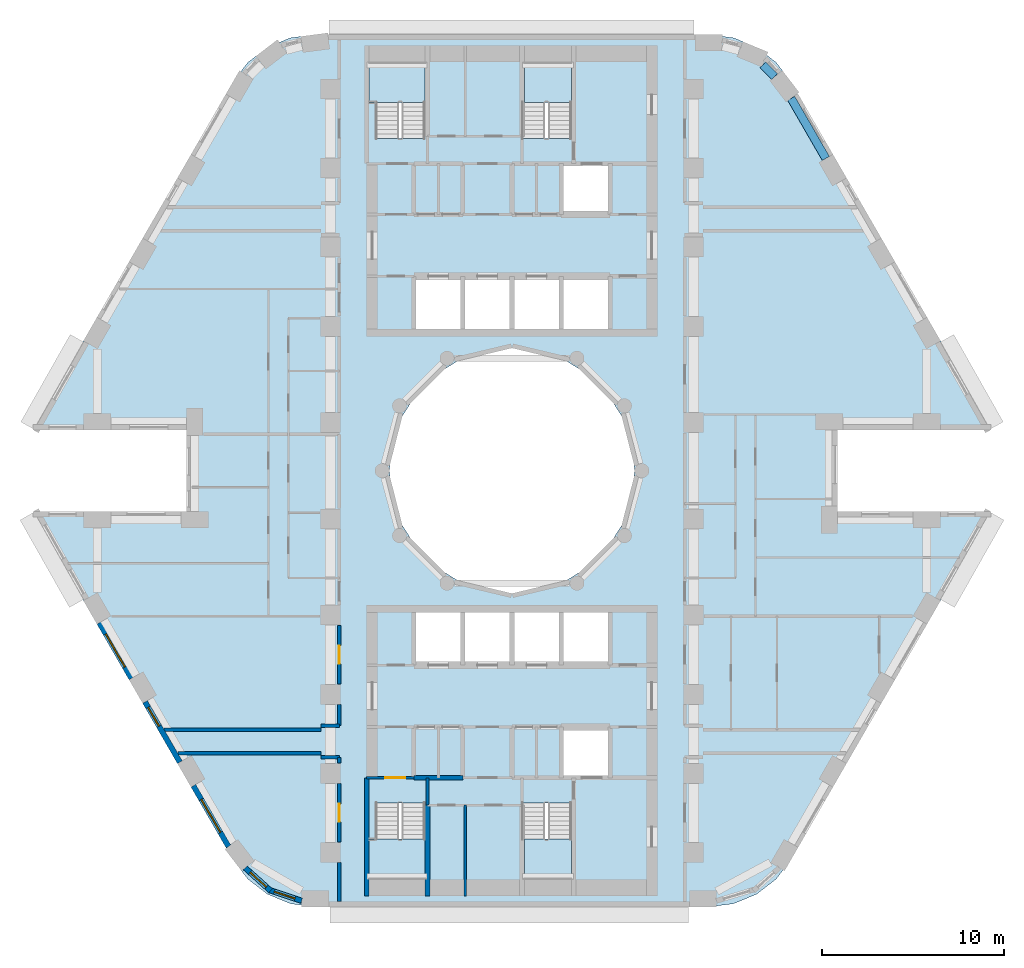
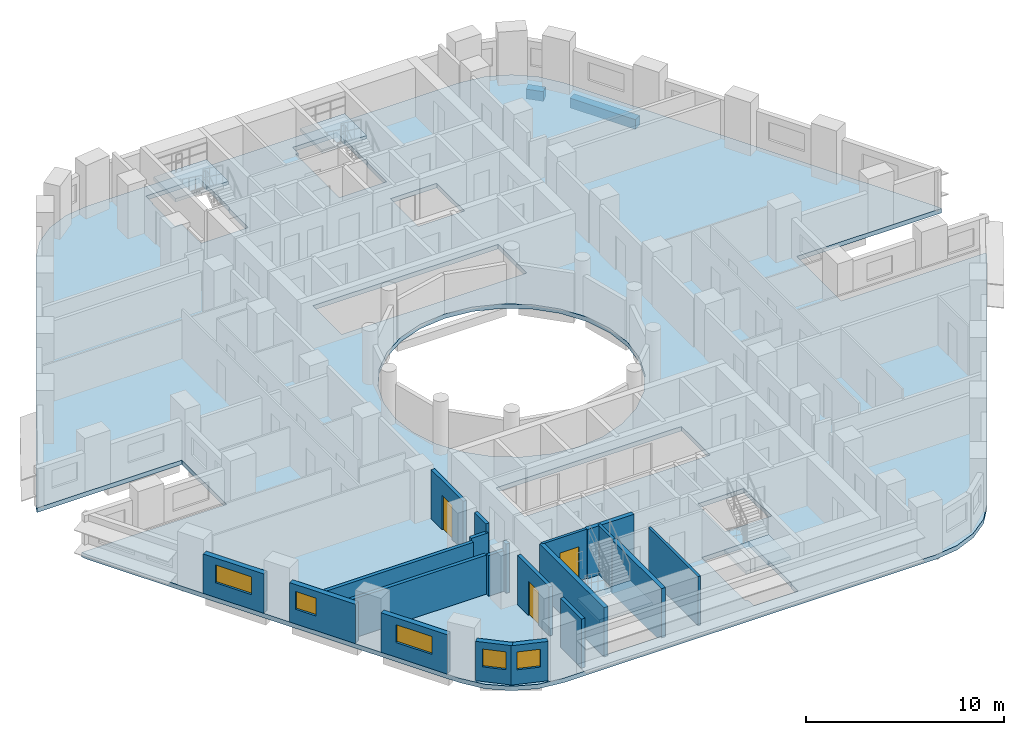
# One storey, part 2 of 12: 20 walls, 5 slabs, 5 windows, 3 doors, 2 beams, 8 openings, 4 elements without a shape of their own.
"""IFC4 building model written with IfcOpenShell, lengths in metres."""

from ifc_helpers import new_model, si_unit, direction, frame, frame_2d, origin, origin_2d, place, context, subcontext, project, spatial, polyline, rectangle, outline, extrude, material, layer, layer_set, material_profile, profile_set, type_object, element, fill, aggregate, save


model = new_model("IFC4")

# Units and contexts
model_context = context("Model", 3, precision=1e-05, world=origin(), true_north=direction((0.0, 1.0)))
body_context = subcontext(model_context, "Body", "Model", "MODEL_VIEW")
ifc_project = project(units=[si_unit("LENGTHUNIT", "METRE"), si_unit("AREAUNIT", "SQUARE_METRE"), si_unit("VOLUMEUNIT", "CUBIC_METRE"), si_unit("PLANEANGLEUNIT", "RADIAN"), si_unit("MASSUNIT", "GRAM", prefix="KILO")], contexts=[model_context])

# Site, building, storey
site_placement = place(None, origin())
site = spatial("IfcSite", under=ifc_project, at=site_placement, CompositionType="ELEMENT")
building_placement = place(site_placement, origin())
building = spatial("IfcBuilding", under=site, at=building_placement, Name="Nakaniwa Court", CompositionType="ELEMENT")
storey_placement = place(building_placement, frame((0.0, 0.0, 54.60009765625)))
storey = spatial("IfcBuildingStorey", under=building, at=storey_placement, Name="L14", CompositionType="ELEMENT", Elevation=54.60009765625)

# Beams
ifc_material_1 = material(Name="Concrete C100/115", Category="concrete")
ifc_material_profile = material_profile(ifc_material_1, rectangle(XDim=0.449951171875, YDim=0.60009765625, at=origin_2d()), Name="Concrete C100/115 RC 450x600 spandrel beam")
ifc_profile_set = profile_set([ifc_material_profile], Name="Concrete C100/115")
beam_type = type_object("IfcBeamType", Name="Concrete C100/115 RC 450x600 spandrel beam", PredefinedType="BEAM", material=ifc_profile_set)
beam_1_placement = place(storey_placement, frame((97.2705078125, 97.1865234375, -0.5751953125), z_axis=(-0.500023067617, 0.86601208528, 0.0), x_axis=(-0.86601208528, -0.500023067617, 0.0)))
element("IfcBeam", 1, at=beam_1_placement, inside=storey, type_object=beam_type, Name="SPANDREL BEAM", PredefinedType="BEAM", context=body_context, shape_type="SweptSolid", body=[
    extrude(rectangle(XDim=0.449951171875, YDim=0.60009765625, at=origin_2d()), origin(), (0.0, 0.0, 1.0), 3.819580078125),
])
beam_2_placement = place(storey_placement, frame((94.448486328125, 101.68505859375, -0.5751953125), z_axis=(-0.705908410536, 0.708303124329, 0.0), x_axis=(-0.708303124329, -0.705908410536, 0.0)))
element("IfcBeam", 2, at=beam_2_placement, inside=storey, type_object=beam_type, Name="SPANDREL BEAM", PredefinedType="BEAM", context=body_context, shape_type="SweptSolid", body=[
    extrude(rectangle(XDim=0.449951171875, YDim=0.60009765625, at=origin_2d()), origin(), (0.0, 0.0, 1.0), 0.91748046875),
])

# Slab
ifc_layer_1 = layer(ifc_material_1, 0.27490234375)
ifc_layer_set_1 = layer_set([ifc_layer_1], Name="Concrete C100/115")
slab_type_1 = type_object("IfcSlabType", Name="Concrete C100/115 post tensioned floor slab 275", PredefinedType="FLOOR", material=ifc_layer_set_1)
slab_1_placement = place(storey_placement, frame((0.0, 0.0, -0.275146484375)))
element("IfcSlab", 3, at=slab_1_placement, inside=storey, type_object=slab_type_1, Name="FLOOR SLAB", PredefinedType="FLOOR", context=body_context, shape_type="SweptSolid", body=[
    extrude(outline(polyline([(97.908447265625, 82.25), (106.356689453125, 82.25), (106.211669921875, 82.60009765625), (95.357421875, 101.39990234375), (94.531005859375, 102.47705078125), (93.4541015625, 103.30322265625), (92.199951171875, 103.82275390625), (90.854248046875, 104.0), (69.145751953125, 104.0), (67.800048828125, 103.82275390625), (66.5458984375, 103.30322265625), (65.468994140625, 102.47705078125), (64.642578125, 101.39990234375), (53.788330078125, 82.60009765625), (53.643310546875, 82.25), (62.091552734375, 82.25), (62.091552734375, 77.75), (53.643310546875, 77.75), (53.788330078125, 77.39990234375), (64.642578125, 58.60009765625), (65.468994140625, 57.52294921875), (66.5458984375, 56.69677734375), (67.800048828125, 56.17724609375), (69.145751953125, 56.0), (90.854248046875, 56.0), (92.199951171875, 56.17724609375), (93.4541015625, 56.69677734375), (94.531005859375, 57.52294921875), (95.357421875, 58.60009765625), (106.211669921875, 77.39990234375), (106.356689453125, 77.75), (97.908447265625, 77.75), (97.908447265625, 82.25)]), holes=[polyline([(81.501953125, 86.580810546875), (80.0, 86.75), (78.498046875, 86.580810546875), (77.0712890625, 86.08154296875), (75.79150390625, 85.27734375), (74.72265625, 84.20849609375), (73.91845703125, 82.9287109375), (73.419189453125, 81.501953125), (73.25, 80.0), (73.419189453125, 78.498046875), (73.91845703125, 77.0712890625), (74.72265625, 75.79150390625), (75.79150390625, 74.72265625), (77.0712890625, 73.91845703125), (78.498046875, 73.419189453125), (80.0, 73.25), (81.501953125, 73.419189453125), (82.9287109375, 73.91845703125), (84.20849609375, 74.72265625), (85.27734375, 75.79150390625), (86.08154296875, 77.0712890625), (86.580810546875, 78.498046875), (86.75, 80.0), (86.580810546875, 81.501953125), (86.08154296875, 82.9287109375), (85.27734375, 84.20849609375), (84.20849609375, 85.27734375), (82.9287109375, 86.08154296875), (81.501953125, 86.580810546875)]), polyline([(75.264892578125, 57.4599609375), (75.264892578125, 59.764892578125), (75.22509765625, 59.764892578125), (75.22509765625, 61.7099609375), (72.47509765625, 61.7099609375), (72.47509765625, 59.764892578125), (72.0849609375, 59.764892578125), (72.0849609375, 57.4599609375), (72.125, 57.4599609375), (72.125, 56.72509765625), (75.22509765625, 56.72509765625), (75.22509765625, 57.324951171875), (75.22509765625, 57.4599609375), (75.264892578125, 57.4599609375)]), polyline([(80.0, 69.300048828125), (82.699951171875, 69.300048828125), (85.39990234375, 69.300048828125), (85.39990234375, 72.199951171875), (82.699951171875, 72.199951171875), (80.0, 72.199951171875), (77.300048828125, 72.199951171875), (74.60009765625, 72.199951171875), (74.60009765625, 69.300048828125), (77.300048828125, 69.300048828125), (80.0, 69.300048828125)]), polyline([(80.0, 87.800048828125), (82.699951171875, 87.800048828125), (85.39990234375, 87.800048828125), (85.39990234375, 90.699951171875), (82.699951171875, 90.699951171875), (80.0, 90.699951171875), (77.300048828125, 90.699951171875), (74.60009765625, 90.699951171875), (74.60009765625, 87.800048828125), (77.300048828125, 87.800048828125), (80.0, 87.800048828125)]), polyline([(75.264892578125, 100.235107421875), (75.264892578125, 102.5400390625), (75.22509765625, 102.5400390625), (75.22509765625, 102.675048828125), (75.22509765625, 103.27490234375), (72.125, 103.27490234375), (72.125, 102.5400390625), (72.0849609375, 102.5400390625), (72.0849609375, 100.235107421875), (72.47509765625, 100.235107421875), (72.47509765625, 98.2900390625), (75.22509765625, 98.2900390625), (75.22509765625, 100.235107421875), (75.264892578125, 100.235107421875)]), polyline([(83.27490234375, 61.7099609375), (80.52490234375, 61.7099609375), (80.52490234375, 57.324951171875), (80.675048828125, 57.324951171875), (80.675048828125, 56.72509765625), (83.27490234375, 56.72509765625), (83.27490234375, 57.324951171875), (83.27490234375, 57.4599609375), (83.31494140625, 57.4599609375), (83.31494140625, 59.764892578125), (83.27490234375, 59.764892578125), (83.27490234375, 61.7099609375)]), polyline([(85.39990234375, 65.89990234375), (82.699951171875, 65.89990234375), (82.699951171875, 63.10009765625), (85.39990234375, 63.10009765625), (85.39990234375, 65.89990234375)]), polyline([(85.39990234375, 96.89990234375), (82.699951171875, 96.89990234375), (82.699951171875, 94.10009765625), (85.39990234375, 94.10009765625), (85.39990234375, 96.89990234375)]), polyline([(83.27490234375, 100.235107421875), (83.31494140625, 100.235107421875), (83.31494140625, 102.5400390625), (83.27490234375, 102.5400390625), (83.27490234375, 102.675048828125), (83.27490234375, 103.27490234375), (80.675048828125, 103.27490234375), (80.675048828125, 102.675048828125), (80.52490234375, 102.675048828125), (80.52490234375, 98.2900390625), (83.27490234375, 98.2900390625), (83.27490234375, 100.235107421875)])]), origin(), (0.0, 0.0, 1.0), 0.275146484375),
])

# Stair, slab
ifc_material_2 = material(Name="Concrete C80/100", Category="concrete")
stair_type = type_object("IfcStairType", Name="Dog leg stair 1300 wide 18 risers", PredefinedType="HALF_TURN_STAIR", material=ifc_material_2)
stair_1_placement = place(storey_placement, origin())
stair_1 = element("IfcStair", 4, at=stair_1_placement, inside=storey, type_object=stair_type, Name="L14 Stair ST1", PredefinedType="HALF_TURN_STAIR")
ifc_layer_2 = layer(ifc_material_2, 0.199951171875)
ifc_layer_set_2 = layer_set([ifc_layer_2], Name="Concrete C80/100")
slab_type_2 = type_object("IfcSlabType", Name="Stair landing concrete", PredefinedType="LANDING", material=ifc_layer_set_2)
slab_2_placement = place(storey_placement, frame((0.0, 0.0, 1.449951171875)))
slab_2 = element("IfcSlab", 5, at=slab_2_placement, type_object=slab_type_2, Name="ST1 landing 1", PredefinedType="LANDING", context=body_context, shape_type="SweptSolid", body=[
    extrude(outline(polyline([(75.22509765625, 100.27490234375), (75.22509765625, 102.5), (72.125, 102.5), (72.125, 100.27490234375), (75.22509765625, 100.27490234375)])), origin(), (0.0, 0.0, 1.0), 0.199951171875),
])
aggregate(stair_1, [slab_2])

stair_2_placement = place(storey_placement, origin())
stair_2 = element("IfcStair", 6, at=stair_2_placement, inside=storey, type_object=stair_type, Name="L14 Stair ST2", PredefinedType="HALF_TURN_STAIR")
slab_3_placement = place(storey_placement, frame((0.0, 0.0, 1.449951171875)))
slab_3 = element("IfcSlab", 7, at=slab_3_placement, type_object=slab_type_2, Name="ST2 landing 1", PredefinedType="LANDING", context=body_context, shape_type="SweptSolid", body=[
    extrude(outline(polyline([(83.27490234375, 100.27490234375), (83.27490234375, 102.5), (80.675048828125, 102.5), (80.675048828125, 100.27490234375), (83.27490234375, 100.27490234375)])), origin(), (0.0, 0.0, 1.0), 0.199951171875),
])
aggregate(stair_2, [slab_3])

stair_3_placement = place(storey_placement, origin())
stair_3 = element("IfcStair", 8, at=stair_3_placement, inside=storey, type_object=stair_type, Name="L14 Stair ST3", PredefinedType="HALF_TURN_STAIR")
slab_4_placement = place(storey_placement, frame((0.0, 0.0, 1.449951171875)))
slab_4 = element("IfcSlab", 9, at=slab_4_placement, type_object=slab_type_2, Name="ST3 landing 1", PredefinedType="LANDING", context=body_context, shape_type="SweptSolid", body=[
    extrude(outline(polyline([(75.22509765625, 57.5), (75.22509765625, 59.72509765625), (72.125, 59.72509765625), (72.125, 57.5), (75.22509765625, 57.5)])), origin(), (0.0, 0.0, 1.0), 0.199951171875),
])
aggregate(stair_3, [slab_4])

stair_4_placement = place(storey_placement, origin())
stair_4 = element("IfcStair", 10, at=stair_4_placement, inside=storey, type_object=stair_type, Name="L14 Stair ST4", PredefinedType="HALF_TURN_STAIR")
slab_5_placement = place(storey_placement, frame((0.0, 0.0, 1.449951171875)))
slab_5 = element("IfcSlab", 11, at=slab_5_placement, type_object=slab_type_2, Name="ST4 landing 1", PredefinedType="LANDING", context=body_context, shape_type="SweptSolid", body=[
    extrude(outline(polyline([(83.27490234375, 57.5), (83.27490234375, 59.72509765625), (80.675048828125, 59.72509765625), (80.675048828125, 57.5), (83.27490234375, 57.5)])), origin(), (0.0, 0.0, 1.0), 0.199951171875),
])
aggregate(stair_4, [slab_5])

# Walls
ifc_material_3 = material(Name="Acoustic double stud partition")
ifc_layer_3 = layer(ifc_material_3, 0.199951171875)
ifc_layer_set_3 = layer_set([ifc_layer_3], Name="Acoustic double stud partition")
wall_type_1 = type_object("IfcWallType", Name="Acoustic double stud partition 200", PredefinedType="PARTITIONING", material=ifc_layer_set_3)
wall_1_placement = place(storey_placement, frame((69.5, 65.97509765625, 0.0), z_axis=(0.0, 0.0, 1.0), x_axis=(1.0, 0.0, 0.0)))
element("IfcWall", 12, at=wall_1_placement, inside=storey, type_object=wall_type_1, Name="Partition PW-091", PredefinedType="PARTITIONING", context=body_context, shape_type="SweptSolid", body=[
    extrude(rectangle(XDim=1.0, YDim=0.199951171875, at=frame_2d((0.5, 0.0))), origin(), (0.0, 0.0, 1.0), 2.5048828125),
])
wall_2_placement = place(storey_placement, frame((60.86083984375, 65.75, 0.0), z_axis=(0.0, 0.0, 1.0), x_axis=(1.0, 0.0, 0.0)))
element("IfcWall", 13, at=wall_2_placement, inside=storey, type_object=wall_type_1, Name="Partition PW-093", PredefinedType="PARTITIONING", context=body_context, shape_type="SweptSolid", body=[
    extrude(rectangle(XDim=8.63916015625, YDim=0.199951171875, at=frame_2d((4.319580078125, 0.0))), origin(), (0.0, 0.0, 1.0), 2.40478515625),
])
wall_3_placement = place(storey_placement, frame((61.611328125, 64.449951171875, 0.0), z_axis=(0.0, 0.0, 1.0), x_axis=(1.0, 0.0, 0.0)))
element("IfcWall", 14, at=wall_3_placement, inside=storey, type_object=wall_type_1, Name="Partition PW-095", PredefinedType="PARTITIONING", context=body_context, shape_type="SweptSolid", body=[
    extrude(rectangle(XDim=7.888671875, YDim=0.199951171875, at=frame_2d((3.9443359375, 0.0))), origin(), (0.0, 0.0, 1.0), 2.40478515625),
])
wall_4_placement = place(storey_placement, frame((69.5, 64.22509765625, 0.0), z_axis=(0.0, 0.0, 1.0), x_axis=(1.0, 0.0, 0.0)))
element("IfcWall", 15, at=wall_4_placement, inside=storey, type_object=wall_type_1, Name="Partition PW-097", PredefinedType="PARTITIONING", context=body_context, shape_type="SweptSolid", body=[
    extrude(rectangle(XDim=1.0, YDim=0.199951171875, at=frame_2d((0.5, 0.0))), origin(), (0.0, 0.0, 1.0), 2.5048828125),
])
wall_5_placement = place(storey_placement, frame((70.5, 56.300048828125, 0.0), z_axis=(0.0, 0.0, 1.0), x_axis=(0.0, 1.0, 0.0)))
element("IfcWall", 16, at=wall_5_placement, inside=storey, type_object=wall_type_1, Name="Partition PW-099", PredefinedType="PARTITIONING", context=body_context, shape_type="SweptSolid", body=[
    extrude(rectangle(XDim=2.133056640625, YDim=0.199951171875, at=frame_2d((1.06640625, 0.0))), origin(), (0.0, 0.0, 1.0), 3.02490234375),
])

# Wall, opening, door
wall_6_placement = place(storey_placement, frame((70.5, 59.56689453125, 0.0), z_axis=(0.0, 0.0, 1.0), x_axis=(0.0, 1.0, 0.0)))
wall_6 = element("IfcWall", 17, at=wall_6_placement, inside=storey, type_object=wall_type_1, Name="Partition PW-100", PredefinedType="PARTITIONING", context=body_context, shape_type="SweptSolid", body=[
    extrude(rectangle(XDim=3.216064453125, YDim=0.199951171875, at=frame_2d((1.60791015625, 0.0))), origin(), (0.0, 0.0, 1.0), 3.02490234375),
])
opening_1_placement = place(wall_6_placement, frame((1.10791015625, 0.0, 0.0)))
opening_1 = element("IfcOpeningElement", 18, at=opening_1_placement, cuts=wall_6, Name="Opening D-02-06", PredefinedType="OPENING", context=body_context, shape_type="SweptSolid", body=[
    extrude(rectangle(XDim=1.0, YDim=2.10009765625, at=frame_2d((0.5, 1.050048828125))), frame((0.0, 0.10986328125, 0.0), z_axis=(0.0, -1.0, 0.0), x_axis=(1.0, 0.0, 0.0)), (0.0, 0.0, 1.0), 0.219970703125),
])
ifc_material_4 = material(Name="Solid core timber door set, black veneer", Category="wood")
door_type_1 = type_object("IfcDoorType", Name="Internal door 1000", OperationType="NOTDEFINED", PredefinedType="DOOR", material=ifc_material_4)
door_1_placement = place(opening_1_placement, origin())
door_1 = element("IfcDoor", 19, at=door_1_placement, inside=storey, type_object=door_type_1, Name="Door D-02-06 L14-054", OperationType="SINGLE_SWING_LEFT", OverallHeight=2.10009765625, OverallWidth=1.0, PredefinedType="DOOR", context=body_context, shape_type="SweptSolid", body=[
    extrude(rectangle(XDim=1.0, YDim=2.10009765625, at=frame_2d((0.5, 1.050048828125))), frame((0.0, 0.02490234375, 0.0), z_axis=(0.0, -1.0, 0.0), x_axis=(1.0, 0.0, 0.0)), (0.0, 0.0, 1.0), 0.050048828125),
])
fill(opening_1, door_1)

# Walls
wall_7_placement = place(storey_placement, frame((70.5, 63.9169921875, 0.0), z_axis=(0.0, 0.0, 1.0), x_axis=(0.0, 1.0, 0.0)))
element("IfcWall", 20, at=wall_7_placement, inside=storey, type_object=wall_type_1, Name="Partition PW-101", PredefinedType="PARTITIONING", context=body_context, shape_type="SweptSolid", body=[
    extrude(rectangle(XDim=0.31103515625, YDim=0.199951171875, at=frame_2d((0.155517578125, 0.0))), origin(), (0.0, 0.0, 1.0), 3.02490234375),
])
wall_8_placement = place(storey_placement, frame((70.5, 65.971923828125, 0.0), z_axis=(0.0, 0.0, 1.0), x_axis=(0.0, 1.0, 0.0)))
element("IfcWall", 21, at=wall_8_placement, inside=storey, type_object=wall_type_1, Name="Partition PW-102", PredefinedType="PARTITIONING", context=body_context, shape_type="SweptSolid", body=[
    extrude(rectangle(XDim=1.1611328125, YDim=0.199951171875, at=frame_2d((0.58056640625, 0.0))), origin(), (0.0, 0.0, 1.0), 3.02490234375),
])

# Wall, opening, door
wall_9_placement = place(storey_placement, frame((70.5, 68.26708984375, 0.0), z_axis=(0.0, 0.0, 1.0), x_axis=(0.0, 1.0, 0.0)))
wall_9 = element("IfcWall", 22, at=wall_9_placement, inside=storey, type_object=wall_type_1, Name="Partition PW-103", PredefinedType="PARTITIONING", context=body_context, shape_type="SweptSolid", body=[
    extrude(rectangle(XDim=3.2158203125, YDim=0.199951171875, at=frame_2d((1.60791015625, 0.0))), origin(), (0.0, 0.0, 1.0), 3.02490234375),
])
opening_2_placement = place(wall_9_placement, frame((1.10791015625, 0.0, 0.0)))
opening_2 = element("IfcOpeningElement", 23, at=opening_2_placement, cuts=wall_9, Name="Opening D-02-03", PredefinedType="OPENING", context=body_context, shape_type="SweptSolid", body=[
    extrude(rectangle(XDim=1.0, YDim=2.10009765625, at=frame_2d((0.5, 1.050048828125))), frame((0.0, 0.10986328125, 0.0), z_axis=(0.0, -1.0, 0.0), x_axis=(1.0, 0.0, 0.0)), (0.0, 0.0, 1.0), 0.219970703125),
])
door_2_placement = place(opening_2_placement, origin())
door_2 = element("IfcDoor", 24, at=door_2_placement, inside=storey, type_object=door_type_1, Name="Door D-02-03 L14-041", OperationType="SINGLE_SWING_RIGHT", OverallHeight=2.10009765625, OverallWidth=1.0, PredefinedType="DOOR", context=body_context, shape_type="SweptSolid", body=[
    extrude(rectangle(XDim=1.0, YDim=2.10009765625, at=frame_2d((0.5, 1.050048828125))), frame((0.0, 0.02490234375, 0.0), z_axis=(0.0, -1.0, 0.0), x_axis=(1.0, 0.0, 0.0)), (0.0, 0.0, 1.0), 0.050048828125),
])
fill(opening_2, door_2)

# Wall, opening, window
ifc_material_5 = material(Name="Charcoal ceramic cladding")
ifc_layer_4 = layer(ifc_material_5, 0.02, Name="Ceramic cladding")
ifc_material_6 = material(Name="Ventilated air cavity")
ifc_layer_5 = layer(ifc_material_6, 0.04, ventilated=True, Name="Ventilated cavity")
ifc_material_7 = material(Name="Mineral wool insulation")
ifc_layer_6 = layer(ifc_material_7, 0.1, Name="Insulation")
ifc_material_8 = material(Name="Cement bonded sheathing board")
ifc_layer_7 = layer(ifc_material_8, 0.012, Name="Sheathing")
ifc_material_9 = material(Name="Cold-formed galvanised stud frame with mineral wool infill")
ifc_layer_8 = layer(ifc_material_9, 0.1, Name="Stud frame")
ifc_material_10 = material(Name="Fire-rated gypsum plasterboard lining")
ifc_layer_9 = layer(ifc_material_10, 0.028, Name="Lining")
ifc_layer_set_4 = layer_set([ifc_layer_4, ifc_layer_5, ifc_layer_6, ifc_layer_7, ifc_layer_8, ifc_layer_9], Name="Charcoal ceramic faced external wall system")
wall_type_2 = type_object("IfcWallType", Name="Black ceramic faced external wall 300", PredefinedType="SOLIDWALL", material=ifc_layer_set_4)
wall_10_placement = place(storey_placement, frame((57.290283203125, 71.63427734375, 0.0), z_axis=(0.0, 0.0, 1.0), x_axis=(0.499977402622, -0.866038449993, 0.0)))
wall_10 = element("IfcWall", 25, at=wall_10_placement, inside=storey, type_object=wall_type_2, Name="L14 external wall 21", PredefinedType="SOLIDWALL", context=body_context, shape_type="SweptSolid", body=[
    extrude(rectangle(XDim=3.536865234375, YDim=0.300048828125, at=frame_2d((1.7685546875, 0.0))), origin(), (0.0, 0.0, 1.0), 2.4248046875),
])
opening_3_placement = place(wall_10_placement, frame((0.718505859375, 0.0, 0.89990234375)))
opening_3 = element("IfcOpeningElement", 26, at=opening_3_placement, cuts=wall_10, Name="Opening W7.22", PredefinedType="OPENING", context=body_context, shape_type="SweptSolid", body=[
    extrude(rectangle(XDim=2.10009765625, YDim=1.10009765625, at=frame_2d((1.050048828125, 0.550048828125))), frame((0.0, 0.159912109375, 0.0), z_axis=(0.0, -1.0, 0.0), x_axis=(1.0, 0.0, 0.0)), (0.0, 0.0, 1.0), 0.320068359375),
])
ifc_material_11 = material(Name="Black anodised aluminium frame with dark low-E laminated double glazing", Category="aluminium")
window_type_1 = type_object("IfcWindowType", Name="Dark glass window 2100x1100 sill 900", PartitioningType="SINGLE_PANEL", PredefinedType="WINDOW", material=ifc_material_11)
window_1_placement = place(opening_3_placement, origin())
window_1 = element("IfcWindow", 27, at=window_1_placement, inside=storey, type_object=window_type_1, Name="L14 habitable room window 21-0", OverallHeight=1.10009765625, OverallWidth=2.10009765625, PartitioningType="SINGLE_PANEL", PredefinedType="WINDOW", context=body_context, shape_type="SweptSolid", body=[
    extrude(rectangle(XDim=2.10009765625, YDim=1.10009765625, at=frame_2d((1.050048828125, 0.550048828125))), frame((0.0, 0.030029296875, 0.0), z_axis=(0.0, -1.0, 0.0), x_axis=(1.0, 0.0, 0.0)), (0.0, 0.0, 1.0), 0.06005859375),
])
fill(opening_3, window_1)

wall_11_placement = place(storey_placement, frame((59.8046875, 67.279296875, 0.0), z_axis=(0.0, 0.0, 1.0), x_axis=(0.500001735503, -0.866024401789, 0.0)))
wall_11 = element("IfcWall", 28, at=wall_11_placement, inside=storey, type_object=wall_type_2, Name="L14 external wall 22", PredefinedType="SOLIDWALL", context=body_context, shape_type="SweptSolid", body=[
    extrude(rectangle(XDim=3.833984375, YDim=0.300048828125, at=frame_2d((1.9169921875, 0.0))), origin(), (0.0, 0.0, 1.0), 2.4248046875),
])
opening_4_placement = place(wall_11_placement, frame((0.343994140625, 0.0, 0.89990234375)))
opening_4 = element("IfcOpeningElement", 29, at=opening_4_placement, cuts=wall_11, Name="Opening W6.23", PredefinedType="OPENING", context=body_context, shape_type="SweptSolid", body=[
    extrude(rectangle(XDim=1.199951171875, YDim=1.10009765625, at=frame_2d((0.60009765625, 0.550048828125))), frame((0.0, 0.159912109375, 0.0), z_axis=(0.0, -1.0, 0.0), x_axis=(1.0, 0.0, 0.0)), (0.0, 0.0, 1.0), 0.320068359375),
])
window_type_2 = type_object("IfcWindowType", Name="Dark glass window 1200x1100 sill 900", PartitioningType="SINGLE_PANEL", PredefinedType="WINDOW", material=ifc_material_11)
window_2_placement = place(opening_4_placement, origin())
window_2 = element("IfcWindow", 30, at=window_2_placement, inside=storey, type_object=window_type_2, Name="L14 habitable room window 22-0", OverallHeight=1.10009765625, OverallWidth=1.199951171875, PartitioningType="SINGLE_PANEL", PredefinedType="WINDOW", context=body_context, shape_type="SweptSolid", body=[
    extrude(rectangle(XDim=1.199951171875, YDim=1.10009765625, at=frame_2d((0.60009765625, 0.550048828125))), frame((0.0, 0.030029296875, 0.0), z_axis=(0.0, -1.0, 0.0), x_axis=(1.0, 0.0, 0.0)), (0.0, 0.0, 1.0), 0.06005859375),
])
fill(opening_4, window_2)

wall_12_placement = place(storey_placement, frame((62.4677734375, 62.6669921875, 0.0), z_axis=(0.0, 0.0, 1.0), x_axis=(0.499948341072, -0.866055227026, 0.0)))
wall_12 = element("IfcWall", 31, at=wall_12_placement, inside=storey, type_object=wall_type_2, Name="L14 external wall 23", PredefinedType="SOLIDWALL", context=body_context, shape_type="SweptSolid", body=[
    extrude(rectangle(XDim=3.8671875, YDim=0.300048828125, at=frame_2d((1.93359375, 0.0))), origin(), (0.0, 0.0, 1.0), 2.4248046875),
])
opening_5_placement = place(wall_12_placement, frame((0.872314453125, 0.0, 0.89990234375)))
opening_5 = element("IfcOpeningElement", 32, at=opening_5_placement, cuts=wall_12, Name="Opening W7.24", PredefinedType="OPENING", context=body_context, shape_type="SweptSolid", body=[
    extrude(rectangle(XDim=2.10009765625, YDim=1.10009765625, at=frame_2d((1.050048828125, 0.550048828125))), frame((0.0, 0.159912109375, 0.0), z_axis=(0.0, -1.0, 0.0), x_axis=(1.0, 0.0, 0.0)), (0.0, 0.0, 1.0), 0.320068359375),
])
window_3_placement = place(opening_5_placement, origin())
window_3 = element("IfcWindow", 33, at=window_3_placement, inside=storey, type_object=window_type_1, Name="L14 habitable room window 23-0", OverallHeight=1.10009765625, OverallWidth=2.10009765625, PartitioningType="SINGLE_PANEL", PredefinedType="WINDOW", context=body_context, shape_type="SweptSolid", body=[
    extrude(rectangle(XDim=2.10009765625, YDim=1.10009765625, at=frame_2d((1.050048828125, 0.550048828125))), frame((0.0, 0.030029296875, 0.0), z_axis=(0.0, -1.0, 0.0), x_axis=(1.0, 0.0, 0.0)), (0.0, 0.0, 1.0), 0.06005859375),
])
fill(opening_5, window_3)

wall_13_placement = place(storey_placement, frame((65.3203125, 58.142578125, 0.0), z_axis=(0.0, 0.0, 1.0), x_axis=(0.7435526378, -0.668677407141, 0.0)))
wall_13 = element("IfcWall", 34, at=wall_13_placement, inside=storey, type_object=wall_type_2, Name="L14 external wall 24", PredefinedType="SOLIDWALL", context=body_context, shape_type="SweptSolid", body=[
    extrude(rectangle(XDim=1.878173828125, YDim=0.300048828125, at=frame_2d((0.93896484375, 0.0))), origin(), (0.0, 0.0, 1.0), 2.4248046875),
])
opening_6_placement = place(wall_13_placement, frame((0.366943359375, 0.0, 0.89990234375)))
opening_6 = element("IfcOpeningElement", 35, at=opening_6_placement, cuts=wall_13, Name="Opening W6.25", PredefinedType="OPENING", context=body_context, shape_type="SweptSolid", body=[
    extrude(rectangle(XDim=1.199951171875, YDim=1.10009765625, at=frame_2d((0.60009765625, 0.550048828125))), frame((0.0, 0.159912109375, 0.0), z_axis=(0.0, -1.0, 0.0), x_axis=(1.0, 0.0, 0.0)), (0.0, 0.0, 1.0), 0.320068359375),
])
window_4_placement = place(opening_6_placement, origin())
window_4 = element("IfcWindow", 36, at=window_4_placement, inside=storey, type_object=window_type_2, Name="L14 habitable room window 24-0", OverallHeight=1.10009765625, OverallWidth=1.199951171875, PartitioningType="SINGLE_PANEL", PredefinedType="WINDOW", context=body_context, shape_type="SweptSolid", body=[
    extrude(rectangle(XDim=1.199951171875, YDim=1.10009765625, at=frame_2d((0.60009765625, 0.550048828125))), frame((0.0, 0.030029296875, 0.0), z_axis=(0.0, -1.0, 0.0), x_axis=(1.0, 0.0, 0.0)), (0.0, 0.0, 1.0), 0.06005859375),
])
fill(opening_6, window_4)

wall_14_placement = place(storey_placement, frame((66.6240234375, 56.932861328125, 0.0), z_axis=(0.0, 0.0, 1.0), x_axis=(0.949246659442, -0.314532636683, 0.0)))
wall_14 = element("IfcWall", 37, at=wall_14_placement, inside=storey, type_object=wall_type_2, Name="L14 external wall 25", PredefinedType="SOLIDWALL", context=body_context, shape_type="SweptSolid", body=[
    extrude(rectangle(XDim=1.901611328125, YDim=0.300048828125, at=frame_2d((0.95068359375, 0.0))), origin(), (0.0, 0.0, 1.0), 2.4248046875),
])
opening_7_placement = place(wall_14_placement, frame((0.31005859375, 0.0, 0.89990234375)))
opening_7 = element("IfcOpeningElement", 38, at=opening_7_placement, cuts=wall_14, Name="Opening W6.26", PredefinedType="OPENING", context=body_context, shape_type="SweptSolid", body=[
    extrude(rectangle(XDim=1.199951171875, YDim=1.10009765625, at=frame_2d((0.60009765625, 0.550048828125))), frame((0.0, 0.159912109375, 0.0), z_axis=(0.0, -1.0, 0.0), x_axis=(1.0, 0.0, 0.0)), (0.0, 0.0, 1.0), 0.320068359375),
])
window_5_placement = place(opening_7_placement, origin())
window_5 = element("IfcWindow", 39, at=window_5_placement, inside=storey, type_object=window_type_2, Name="L14 habitable room window 25-0", OverallHeight=1.10009765625, OverallWidth=1.199951171875, PartitioningType="SINGLE_PANEL", PredefinedType="WINDOW", context=body_context, shape_type="SweptSolid", body=[
    extrude(rectangle(XDim=1.199951171875, YDim=1.10009765625, at=frame_2d((0.60009765625, 0.550048828125))), frame((0.0, 0.030029296875, 0.0), z_axis=(0.0, -1.0, 0.0), x_axis=(1.0, 0.0, 0.0)), (0.0, 0.0, 1.0), 0.06005859375),
])
fill(opening_7, window_5)

# Wall
ifc_material_12 = material(Name="Blockwork partition", Category="masonry")
ifc_layer_10 = layer(ifc_material_12, 0.14990234375)
ifc_layer_set_5 = layer_set([ifc_layer_10], Name="Blockwork partition")
wall_type_3 = type_object("IfcWallType", Name="Blockwork partition 150", PredefinedType="PARTITIONING", material=ifc_layer_set_5)
wall_15_placement = place(storey_placement, frame((77.429931640625, 56.60009765625, 0.0), z_axis=(0.0, 0.0, 1.0), x_axis=(0.0, 1.0, 0.0)))
element("IfcWall", 40, at=wall_15_placement, inside=storey, type_object=wall_type_3, Name="Partition PW-070", PredefinedType="PARTITIONING", context=body_context, shape_type="SweptSolid", body=[
    extrude(rectangle(XDim=5.0, YDim=0.14990234375, at=frame_2d((2.5, 0.0))), origin(), (0.0, 0.0, 1.0), 3.02490234375),
])

# Wall, opening, door
ifc_layer_11 = layer(ifc_material_1, 0.14990234375)
ifc_layer_set_6 = layer_set([ifc_layer_11], Name="Concrete C100/115")
wall_type_4 = type_object("IfcWallType", Name="Concrete core wall 150 C100", PredefinedType="SHEAR", material=ifc_layer_set_6)
wall_16_placement = place(storey_placement, frame((72.0, 63.10009765625, -0.275146484375), z_axis=(0.0, 0.0, 1.0), x_axis=(1.0, 0.0, 0.0)))
wall_16 = element("IfcWall", 41, at=wall_16_placement, inside=storey, type_object=wall_type_4, Name="Core wall SW-57", PredefinedType="SHEAR", context=body_context, shape_type="SweptSolid", body=[
    extrude(rectangle(XDim=2.60009765625, YDim=0.14990234375, at=frame_2d((1.300048828125, 0.0))), origin(), (0.0, 0.0, 1.0), 3.300048828125),
])
opening_8_placement = place(wall_16_placement, frame((1.02001953125, 0.0, 0.27490234375)))
opening_8 = element("IfcOpeningElement", 42, at=opening_8_placement, cuts=wall_16, Name="Opening D-09-02", PredefinedType="OPENING", context=body_context, shape_type="SweptSolid", body=[
    extrude(rectangle(XDim=1.10009765625, YDim=2.10009765625, at=frame_2d((0.550048828125, 1.050048828125))), frame((0.0, 0.0849609375, 0.0), z_axis=(0.0, -1.0, 0.0), x_axis=(1.0, 0.0, 0.0)), (0.0, 0.0, 1.0), 0.169921875),
])
ifc_material_13 = material(Name="Fire rated steel door set", Category="steel")
door_type_2 = type_object("IfcDoorType", Name="Stair door 1100", OperationType="NOTDEFINED", PredefinedType="DOOR", material=ifc_material_13)
door_3_placement = place(opening_8_placement, origin())
door_3 = element("IfcDoor", 43, at=door_3_placement, inside=storey, type_object=door_type_2, Name="Door D-09-02 L14-027", OperationType="SINGLE_SWING_LEFT", OverallHeight=2.10009765625, OverallWidth=1.10009765625, PredefinedType="DOOR", context=body_context, shape_type="SweptSolid", body=[
    extrude(rectangle(XDim=1.10009765625, YDim=2.10009765625, at=frame_2d((0.550048828125, 1.050048828125))), frame((0.0, 0.02490234375, 0.0), z_axis=(0.0, -1.0, 0.0), x_axis=(1.0, 0.0, 0.0)), (0.0, 0.0, 1.0), 0.050048828125),
])
fill(opening_8, door_3)

# Walls
wall_17_placement = place(storey_placement, frame((75.35009765625, 61.596923828125, -0.275146484375), z_axis=(0.0, 0.0, 1.0), x_axis=(0.0, 1.0, 0.0)))
element("IfcWall", 44, at=wall_17_placement, inside=storey, type_object=wall_type_4, Name="Core wall SW-63", PredefinedType="SHEAR", context=body_context, shape_type="SweptSolid", body=[
    extrude(rectangle(XDim=1.503173828125, YDim=0.14990234375, at=frame_2d((0.75146484375, 0.0))), origin(), (0.0, 0.0, 1.0), 3.300048828125),
])
ifc_layer_12 = layer(ifc_material_1, 0.25)
ifc_layer_set_7 = layer_set([ifc_layer_12], Name="Concrete C100/115")
wall_type_5 = type_object("IfcWallType", Name="Concrete core wall 250 C100", PredefinedType="SHEAR", material=ifc_layer_set_7)
wall_18_placement = place(storey_placement, frame((72.0, 56.60009765625, -0.275146484375), z_axis=(0.0, 0.0, 1.0), x_axis=(0.0, 1.0, 0.0)))
element("IfcWall", 45, at=wall_18_placement, inside=storey, type_object=wall_type_5, Name="Core wall SW-65", PredefinedType="SHEAR", context=body_context, shape_type="SweptSolid", body=[
    extrude(rectangle(XDim=6.5, YDim=0.25, at=frame_2d((3.25, 0.0))), origin(), (0.0, 0.0, 1.0), 3.300048828125),
])
ifc_layer_13 = layer(ifc_material_1, 0.25)
ifc_layer_set_8 = layer_set([ifc_layer_13], Name="Concrete C100/115")
wall_type_6 = type_object("IfcWallType", Name="Concrete shaft wall 250 C100", PredefinedType="SHEAR", material=ifc_layer_set_8)
wall_19_placement = place(storey_placement, frame((74.60009765625, 63.10009765625, -0.275146484375), z_axis=(0.0, 0.0, 1.0), x_axis=(1.0, 0.0, 0.0)))
element("IfcWall", 46, at=wall_19_placement, inside=storey, type_object=wall_type_6, Name="Core wall SW-59", PredefinedType="SHEAR", context=body_context, shape_type="SweptSolid", body=[
    extrude(rectangle(XDim=2.699951171875, YDim=0.25, at=frame_2d((1.35009765625, 0.0))), origin(), (0.0, 0.0, 1.0), 3.300048828125),
])
wall_20_placement = place(storey_placement, frame((75.35009765625, 56.60009765625, -0.275146484375), z_axis=(0.0, 0.0, 1.0), x_axis=(0.0, 1.0, 0.0)))
element("IfcWall", 47, at=wall_20_placement, inside=storey, type_object=wall_type_6, Name="Core wall SW-64", PredefinedType="SHEAR", context=body_context, shape_type="SweptSolid", body=[
    extrude(rectangle(XDim=5.0029296875, YDim=0.25, at=frame_2d((2.50146484375, 0.0))), origin(), (0.0, 0.0, 1.0), 3.300048828125),
])

save(model, "model.ifc")
